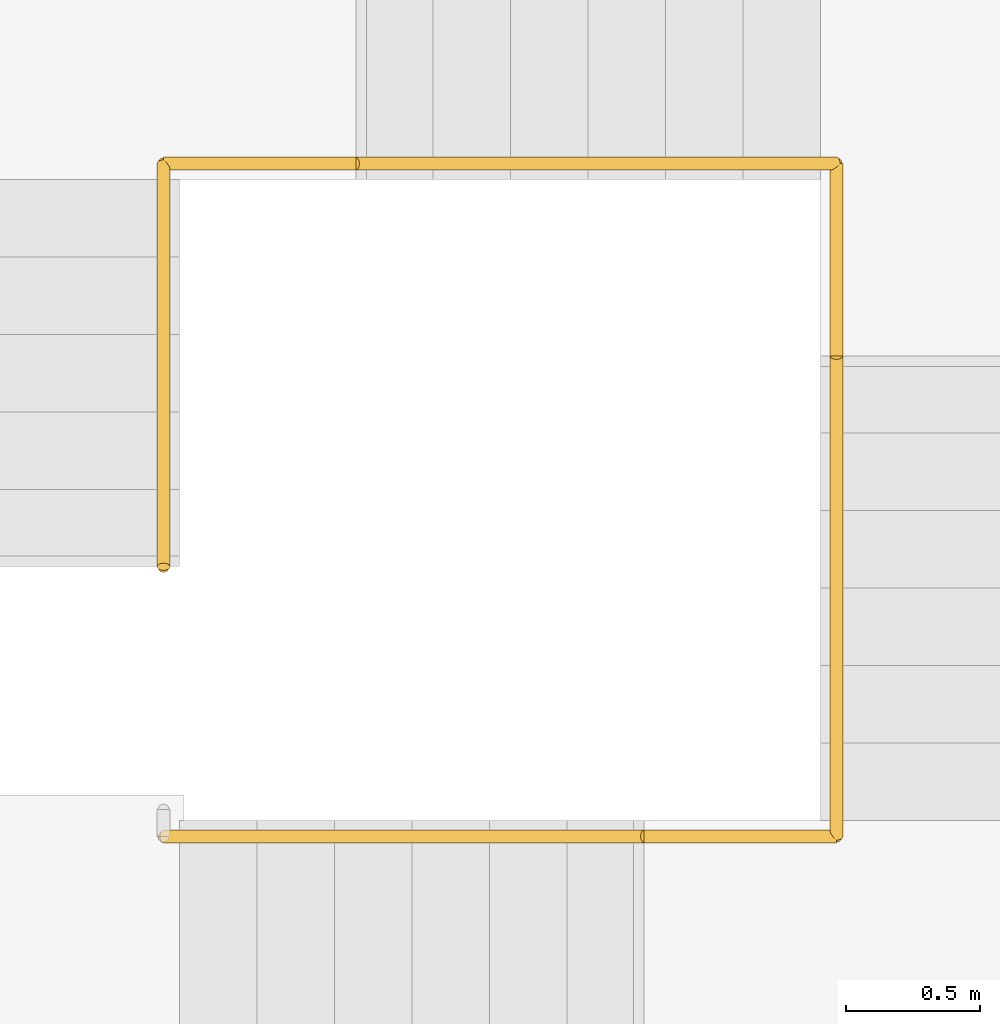
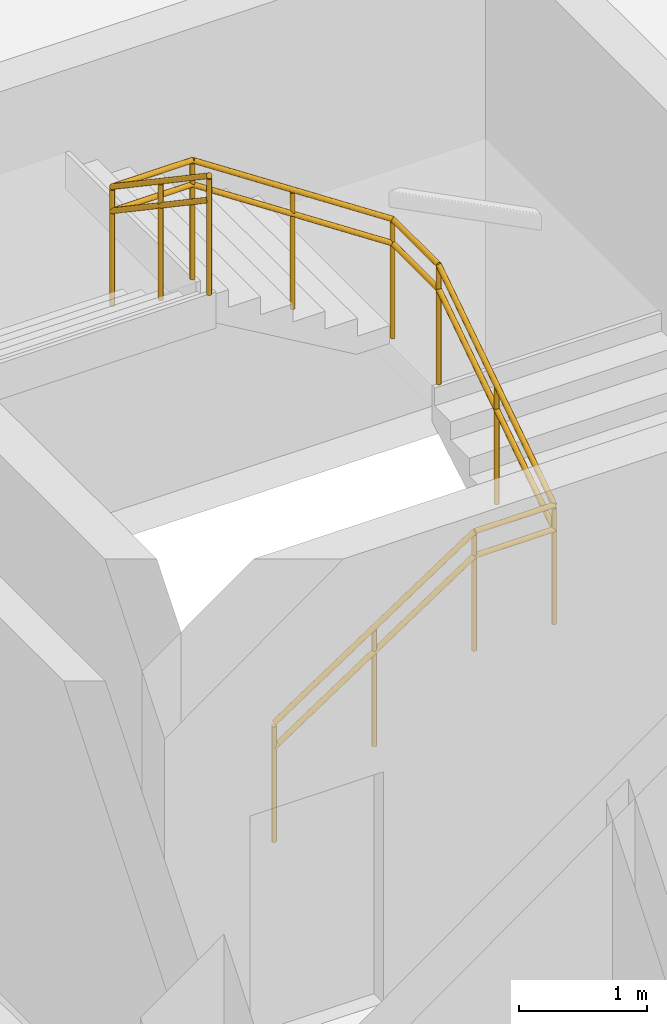
# One storey, part 58 of 58: 2 railings.
"""IFC4 building model written with IfcOpenShell, lengths in metres."""

from ifc_helpers import new_model, si_unit, direction, frame, origin, origin_2d, place, context, subcontext, project, spatial, circle, extrude, material, type_object, element, save


model = new_model("IFC4")

# Units and contexts
model_context = context("Model", 3, precision=1e-05, world=origin(), true_north=direction((0.0, 1.0)))
body_context = subcontext(model_context, "Body", "Model", "MODEL_VIEW")
ifc_project = project(units=[si_unit("LENGTHUNIT", "METRE"), si_unit("AREAUNIT", "SQUARE_METRE"), si_unit("VOLUMEUNIT", "CUBIC_METRE"), si_unit("PLANEANGLEUNIT", "RADIAN"), si_unit("MASSUNIT", "GRAM", prefix="KILO")], contexts=[model_context])

# Site, building, storey
site_placement = place(None, origin())
site = spatial("IfcSite", under=ifc_project, at=site_placement, CompositionType="ELEMENT")
building_placement = place(site_placement, origin())
building = spatial("IfcBuilding", under=site, at=building_placement, Name="Sillaruma Civic Art Gallery", CompositionType="ELEMENT")
storey_placement = place(building_placement, frame((0.0, 0.0, 28.56005859375)))
storey = spatial("IfcBuildingStorey", under=building, at=storey_placement, Name="L05", CompositionType="ELEMENT", Elevation=28.56005859375)

# Railings
ifc_material = material(Name="Stainless Steel AISI 316", Category="steel")
railing_type_1 = type_object("IfcRailingType", Name="RAL-BAL-1150", PredefinedType="BALUSTRADE", material=ifc_material)
railing_1_placement = place(storey_placement, frame((64.739990234375, 82.889892578125, 0.0)))
element("IfcRailing", 1, at=railing_1_placement, inside=storey, type_object=railing_type_1, Name="Stair Well Balustrade (ST-02-L05)", PredefinedType="BALUSTRADE", context=body_context, shape_type="SweptSolid", body=[
    extrude(circle(Radius=0.02392578125, at=origin_2d()), frame((0.0, 0.0, 1.1259765625), z_axis=(0.834202413191, 0.0, 0.551458369984), x_axis=(0.0, 1.0, 0.0)), (0.0, 0.0, 1.0), 2.15771484375),
    extrude(circle(Radius=0.02392578125, at=origin_2d()), frame((1.800048828125, 0.0, 2.31591796875), z_axis=(1.0, 0.0, 0.0), x_axis=(0.0, 1.0, 0.0)), (0.0, 0.0, 1.0), 0.719970703125),
    extrude(circle(Radius=0.02392578125, at=origin_2d()), frame((2.52001953125, 0.0, 2.31591796875), z_axis=(0.0, 0.834202413191, 0.551458369984), x_axis=(-1.0, 0.0, 0.0)), (0.0, 0.0, 1.0), 2.15771484375),
    extrude(circle(Radius=0.02392578125, at=origin_2d()), frame((2.52001953125, 1.800048828125, 3.505859375), z_axis=(0.0, 1.0, 0.0), x_axis=(-1.0, 0.0, 0.0)), (0.0, 0.0, 1.0), 0.719970703125),
    extrude(circle(Radius=0.02392578125, at=origin_2d()), frame((2.52001953125, 2.52001953125, 3.505859375), z_axis=(-0.834202413191, 0.0, 0.551458369984), x_axis=(0.0, -1.0, 0.0)), (0.0, 0.0, 1.0), 2.15771484375),
    extrude(circle(Radius=0.02392578125, at=origin_2d()), frame((0.719970703125, 2.52001953125, 4.69580078125), z_axis=(-1.0, 0.0, 0.0), x_axis=(0.0, -1.0, 0.0)), (0.0, 0.0, 1.0), 0.719970703125),
    extrude(circle(Radius=0.02392578125, at=origin_2d()), frame((0.0, 2.52001953125, 4.69580078125), z_axis=(0.0, -0.828654473869, 0.559760451387), x_axis=(1.0, 0.0, 0.0)), (0.0, 0.0, 1.0), 1.822265625),
    extrude(circle(Radius=0.02099609375, at=origin_2d()), origin(), (0.0, 0.0, 1.0), 1.101806640625),
    extrude(circle(Radius=0.02099609375, at=origin_2d()), frame((0.89990234375, 0.0, 0.594970703125)), (0.0, 0.0, 1.0), 1.101806640625),
    extrude(circle(Radius=0.02099609375, at=origin_2d()), frame((1.800048828125, 0.0, 1.18994140625)), (0.0, 0.0, 1.0), 1.101806640625),
    extrude(circle(Radius=0.02099609375, at=origin_2d()), frame((2.52001953125, 0.0, 1.18994140625)), (0.0, 0.0, 1.0), 1.101806640625),
    extrude(circle(Radius=0.02099609375, at=origin_2d()), frame((2.52001953125, 0.89990234375, 1.784912109375)), (0.0, 0.0, 1.0), 1.101806640625),
    extrude(circle(Radius=0.02099609375, at=origin_2d()), frame((2.52001953125, 1.800048828125, 2.3798828125)), (0.0, 0.0, 1.0), 1.101806640625),
    extrude(circle(Radius=0.02099609375, at=origin_2d()), frame((2.52001953125, 2.52001953125, 2.3798828125)), (0.0, 0.0, 1.0), 1.101806640625),
    extrude(circle(Radius=0.02099609375, at=origin_2d()), frame((1.6201171875, 2.52001953125, 2.974853515625)), (0.0, 0.0, 1.0), 1.101806640625),
    extrude(circle(Radius=0.02099609375, at=origin_2d()), frame((0.719970703125, 2.52001953125, 3.56982421875)), (0.0, 0.0, 1.0), 1.101806640625),
    extrude(circle(Radius=0.02099609375, at=origin_2d()), frame((0.0, 2.52001953125, 3.56982421875)), (0.0, 0.0, 1.0), 1.101806640625),
    extrude(circle(Radius=0.02099609375, at=origin_2d()), frame((0.0, 1.76513671875, 4.079833984375)), (0.0, 0.0, 1.0), 1.101806640625),
    extrude(circle(Radius=0.02099609375, at=origin_2d()), frame((0.0, 1.010009765625, 4.58984375)), (0.0, 0.0, 1.0), 1.101806640625),
])
railing_type_2 = type_object("IfcRailingType", Name="RAL-HND-920", PredefinedType="HANDRAIL", material=ifc_material)
railing_2_placement = place(storey_placement, frame((64.739990234375, 82.889892578125, 0.0)))
element("IfcRailing", 2, at=railing_2_placement, inside=storey, type_object=railing_type_2, Name="Stair Continuous Handrail (ST-02-L05)", PredefinedType="HANDRAIL", context=body_context, shape_type="SweptSolid", body=[
    extrude(circle(Radius=0.02392578125, at=origin_2d()), frame((0.0, 0.0, 0.89599609375), z_axis=(0.834202413191, 0.0, 0.551458369984), x_axis=(0.0, 1.0, 0.0)), (0.0, 0.0, 1.0), 2.15771484375),
    extrude(circle(Radius=0.02392578125, at=origin_2d()), frame((1.800048828125, 0.0, 2.0859375), z_axis=(1.0, 0.0, 0.0), x_axis=(0.0, 1.0, 0.0)), (0.0, 0.0, 1.0), 0.719970703125),
    extrude(circle(Radius=0.02392578125, at=origin_2d()), frame((2.52001953125, 0.0, 2.0859375), z_axis=(0.0, 0.834202413191, 0.551458369984), x_axis=(-1.0, 0.0, 0.0)), (0.0, 0.0, 1.0), 2.15771484375),
    extrude(circle(Radius=0.02392578125, at=origin_2d()), frame((2.52001953125, 1.800048828125, 3.27587890625), z_axis=(0.0, 1.0, 0.0), x_axis=(-1.0, 0.0, 0.0)), (0.0, 0.0, 1.0), 0.719970703125),
    extrude(circle(Radius=0.02392578125, at=origin_2d()), frame((2.52001953125, 2.52001953125, 3.27587890625), z_axis=(-0.834202413191, 0.0, 0.551458369984), x_axis=(0.0, -1.0, 0.0)), (0.0, 0.0, 1.0), 2.15771484375),
    extrude(circle(Radius=0.02392578125, at=origin_2d()), frame((0.719970703125, 2.52001953125, 4.4658203125), z_axis=(-1.0, 0.0, 0.0), x_axis=(0.0, -1.0, 0.0)), (0.0, 0.0, 1.0), 0.719970703125),
    extrude(circle(Radius=0.02392578125, at=origin_2d()), frame((0.0, 2.52001953125, 4.4658203125), z_axis=(0.0, -0.828654473869, 0.559760451387), x_axis=(1.0, 0.0, 0.0)), (0.0, 0.0, 1.0), 1.822265625),
    extrude(circle(Radius=0.02099609375, at=origin_2d()), origin(), (0.0, 0.0, 1.0), 0.871826171875),
    extrude(circle(Radius=0.02099609375, at=origin_2d()), frame((0.89990234375, 0.0, 0.594970703125)), (0.0, 0.0, 1.0), 0.871826171875),
    extrude(circle(Radius=0.02099609375, at=origin_2d()), frame((1.800048828125, 0.0, 1.18994140625)), (0.0, 0.0, 1.0), 0.871826171875),
    extrude(circle(Radius=0.02099609375, at=origin_2d()), frame((2.52001953125, 0.0, 1.18994140625)), (0.0, 0.0, 1.0), 0.871826171875),
    extrude(circle(Radius=0.02099609375, at=origin_2d()), frame((2.52001953125, 0.89990234375, 1.784912109375)), (0.0, 0.0, 1.0), 0.871826171875),
    extrude(circle(Radius=0.02099609375, at=origin_2d()), frame((2.52001953125, 1.800048828125, 2.3798828125)), (0.0, 0.0, 1.0), 0.871826171875),
    extrude(circle(Radius=0.02099609375, at=origin_2d()), frame((2.52001953125, 2.52001953125, 2.3798828125)), (0.0, 0.0, 1.0), 0.871826171875),
    extrude(circle(Radius=0.02099609375, at=origin_2d()), frame((1.6201171875, 2.52001953125, 2.974853515625)), (0.0, 0.0, 1.0), 0.871826171875),
    extrude(circle(Radius=0.02099609375, at=origin_2d()), frame((0.719970703125, 2.52001953125, 3.56982421875)), (0.0, 0.0, 1.0), 0.871826171875),
    extrude(circle(Radius=0.02099609375, at=origin_2d()), frame((0.0, 2.52001953125, 3.56982421875)), (0.0, 0.0, 1.0), 0.871826171875),
    extrude(circle(Radius=0.02099609375, at=origin_2d()), frame((0.0, 1.76513671875, 4.079833984375)), (0.0, 0.0, 1.0), 0.871826171875),
    extrude(circle(Radius=0.02099609375, at=origin_2d()), frame((0.0, 1.010009765625, 4.58984375)), (0.0, 0.0, 1.0), 0.871826171875),
])

save(model, "model.ifc")
